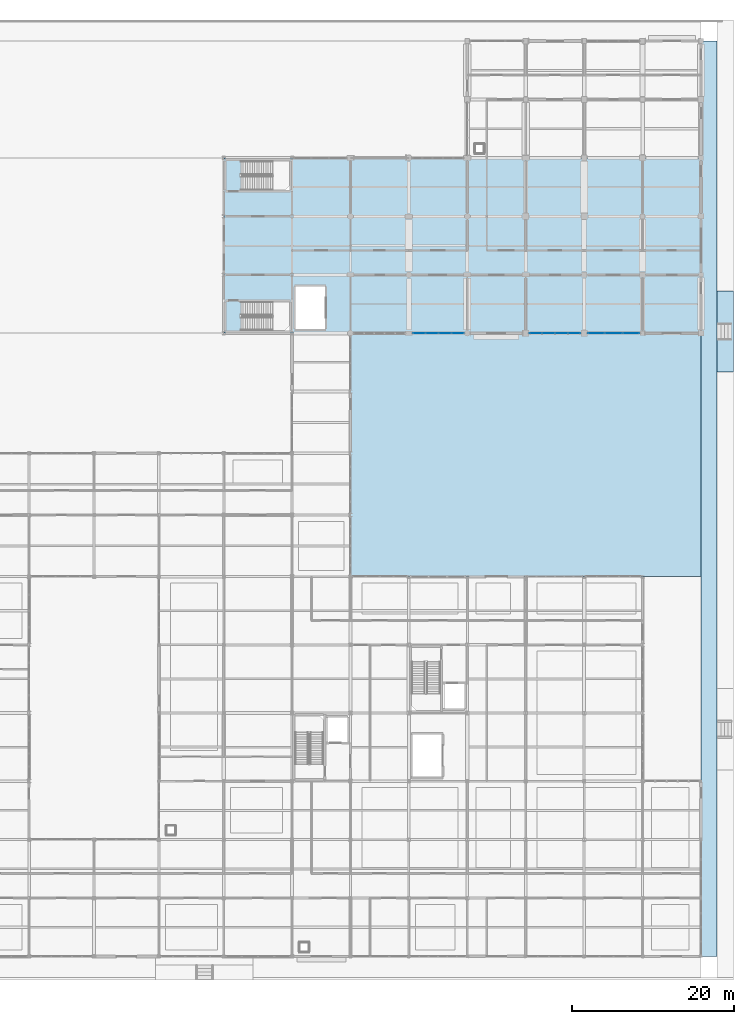
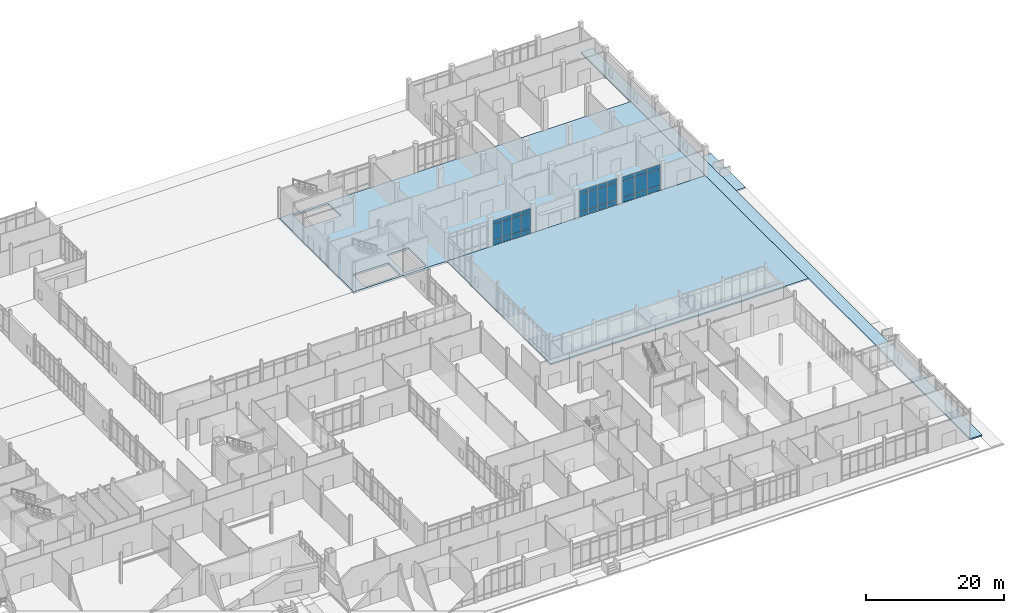
# One storey, part 157 of 229: 33 plates, 4 slabs, 3 elements without a shape of their own.
"""IFC4 building model written with IfcOpenShell, lengths in metres."""

from ifc_helpers import new_model, si_unit, direction, frame, origin, origin_2d, place, context, subcontext, project, spatial, polyline, rectangle, outline, extrude, material, layer, layer_set, type_object, element, aggregate, save


model = new_model("IFC4")

# Units and contexts
model_context = context("Model", 3, precision=1e-05, world=origin(), true_north=direction((0.0, 1.0)))
body_context = subcontext(model_context, "Body", "Model", "MODEL_VIEW")
ifc_project = project(units=[si_unit("LENGTHUNIT", "METRE"), si_unit("AREAUNIT", "SQUARE_METRE"), si_unit("VOLUMEUNIT", "CUBIC_METRE"), si_unit("PLANEANGLEUNIT", "RADIAN"), si_unit("MASSUNIT", "GRAM", prefix="KILO")], contexts=[model_context])

# Site, building, storey
site_placement = place(None, origin())
site = spatial("IfcSite", under=ifc_project, at=site_placement, CompositionType="ELEMENT")
building_placement = place(site_placement, origin())
building = spatial("IfcBuilding", under=site, at=building_placement, Name="Calvrana Isthmian Art Gallery", CompositionType="ELEMENT")
storey_placement = place(building_placement, origin())
storey = spatial("IfcBuildingStorey", under=building, at=storey_placement, Name="L00", CompositionType="ELEMENT", Elevation=0.0)

# Curtain wall, plates
ifc_material_1 = material(Name="Anodized bronze aluminium 6063-T6", Category="aluminium")
ifc_layer_1 = layer(ifc_material_1, 0.179931640625, Name="Anodized bronze aluminium 6063-T6")
ifc_layer_set_1 = layer_set([ifc_layer_1], Name="Anodized bronze aluminium 6063-T6")
curtain_wall_type_1 = type_object("IfcCurtainWallType", Name="CW-STICK-065X46", PredefinedType="NOTDEFINED", material=ifc_layer_set_1)
curtain_wall_1_placement = place(storey_placement, origin())
curtain_wall_1 = element("IfcCurtainWall", 1, at=curtain_wall_1_placement, inside=storey, type_object=curtain_wall_type_1, Name="Curtain wall CW-035", PredefinedType="NOTDEFINED")
ifc_material_2 = material(Name="Polychrome glazed terracotta", Category="masonry")
ifc_layer_2 = layer(ifc_material_2, 0.033935546875, Name="Polychrome glazed terracotta")
ifc_layer_set_2 = layer_set([ifc_layer_2], Name="Polychrome glazed terracotta")
plate_type_1 = type_object("IfcPlateType", Name="CWP-SPANDREL-34", PredefinedType="CURTAIN_PANEL", material=ifc_layer_set_2)
plate_1_placement = place(storey_placement, frame((154.5966796875, 76.800048828125, 0.06005859375), z_axis=(0.0, 0.0, 1.0), x_axis=(-1.0, 0.0, 0.0)))
plate_1 = element("IfcPlate", 2, at=plate_1_placement, type_object=plate_type_1, Name="CW-035 panel 1.1", PredefinedType="CURTAIN_PANEL", context=body_context, shape_type="SweptSolid", body=[
    extrude(rectangle(XDim=2.046630859375, YDim=0.033935546875, at=origin_2d()), origin(), (0.0, 0.0, 1.0), 0.81005859375),
])
plate_2_placement = place(storey_placement, frame((154.5966796875, 76.800048828125, 0.93017578125), z_axis=(0.0, 0.0, 1.0), x_axis=(-1.0, 0.0, 0.0)))
plate_2 = element("IfcPlate", 3, at=plate_2_placement, type_object=plate_type_1, Name="CW-035 panel 1.2", PredefinedType="CURTAIN_PANEL", context=body_context, shape_type="SweptSolid", body=[
    extrude(rectangle(XDim=2.046630859375, YDim=0.033935546875, at=origin_2d()), origin(), (0.0, 0.0, 1.0), 2.907958984375),
])
plate_3_placement = place(storey_placement, frame((154.5966796875, 76.800048828125, 3.89794921875), z_axis=(0.0, 0.0, 1.0), x_axis=(-1.0, 0.0, 0.0)))
plate_3 = element("IfcPlate", 4, at=plate_3_placement, type_object=plate_type_1, Name="CW-035 panel 1.3", PredefinedType="CURTAIN_PANEL", context=body_context, shape_type="SweptSolid", body=[
    extrude(rectangle(XDim=2.046630859375, YDim=0.033935546875, at=origin_2d()), origin(), (0.0, 0.0, 1.0), 0.659912109375),
])
plate_4_placement = place(storey_placement, frame((152.449951171875, 76.800048828125, 0.06005859375), z_axis=(0.0, 0.0, 1.0), x_axis=(-1.0, 0.0, 0.0)))
plate_4 = element("IfcPlate", 5, at=plate_4_placement, type_object=plate_type_1, Name="CW-035 panel 2.1", PredefinedType="CURTAIN_PANEL", context=body_context, shape_type="SweptSolid", body=[
    extrude(rectangle(XDim=2.086669921875, YDim=0.033935546875, at=origin_2d()), origin(), (0.0, 0.0, 1.0), 0.81005859375),
])
plate_5_placement = place(storey_placement, frame((152.449951171875, 76.800048828125, 0.93017578125), z_axis=(0.0, 0.0, 1.0), x_axis=(-1.0, 0.0, 0.0)))
plate_5 = element("IfcPlate", 6, at=plate_5_placement, type_object=plate_type_1, Name="CW-035 panel 2.2", PredefinedType="CURTAIN_PANEL", context=body_context, shape_type="SweptSolid", body=[
    extrude(rectangle(XDim=2.086669921875, YDim=0.033935546875, at=origin_2d()), origin(), (0.0, 0.0, 1.0), 2.907958984375),
])
plate_6_placement = place(storey_placement, frame((152.449951171875, 76.800048828125, 3.89794921875), z_axis=(0.0, 0.0, 1.0), x_axis=(-1.0, 0.0, 0.0)))
plate_6 = element("IfcPlate", 7, at=plate_6_placement, type_object=plate_type_1, Name="CW-035 panel 2.3", PredefinedType="CURTAIN_PANEL", context=body_context, shape_type="SweptSolid", body=[
    extrude(rectangle(XDim=2.086669921875, YDim=0.033935546875, at=origin_2d()), origin(), (0.0, 0.0, 1.0), 0.659912109375),
])
plate_7_placement = place(storey_placement, frame((150.30322265625, 76.800048828125, 0.06005859375), z_axis=(0.0, 0.0, 1.0), x_axis=(-1.0, 0.0, 0.0)))
plate_7 = element("IfcPlate", 8, at=plate_7_placement, type_object=plate_type_1, Name="CW-035 panel 3.1", PredefinedType="CURTAIN_PANEL", context=body_context, shape_type="SweptSolid", body=[
    extrude(rectangle(XDim=2.046630859375, YDim=0.033935546875, at=origin_2d()), origin(), (0.0, 0.0, 1.0), 0.81005859375),
])
plate_8_placement = place(storey_placement, frame((150.30322265625, 76.800048828125, 0.93017578125), z_axis=(0.0, 0.0, 1.0), x_axis=(-1.0, 0.0, 0.0)))
plate_8 = element("IfcPlate", 9, at=plate_8_placement, type_object=plate_type_1, Name="CW-035 panel 3.2", PredefinedType="CURTAIN_PANEL", context=body_context, shape_type="SweptSolid", body=[
    extrude(rectangle(XDim=2.046630859375, YDim=0.033935546875, at=origin_2d()), origin(), (0.0, 0.0, 1.0), 2.907958984375),
])
plate_9_placement = place(storey_placement, frame((150.30322265625, 76.800048828125, 3.89794921875), z_axis=(0.0, 0.0, 1.0), x_axis=(-1.0, 0.0, 0.0)))
plate_9 = element("IfcPlate", 10, at=plate_9_placement, type_object=plate_type_1, Name="CW-035 panel 3.3", PredefinedType="CURTAIN_PANEL", context=body_context, shape_type="SweptSolid", body=[
    extrude(rectangle(XDim=2.046630859375, YDim=0.033935546875, at=origin_2d()), origin(), (0.0, 0.0, 1.0), 0.659912109375),
])
aggregate(curtain_wall_1, [plate_1, plate_2, plate_3, plate_4, plate_5, plate_6, plate_7, plate_8, plate_9])

ifc_layer_3 = layer(ifc_material_1, 0.179931640625, Name="Anodized bronze aluminium 6063-T6")
ifc_layer_set_3 = layer_set([ifc_layer_3], Name="Anodized bronze aluminium 6063-T6")
curtain_wall_type_2 = type_object("IfcCurtainWallType", Name="CW-STICK-064X45", PredefinedType="NOTDEFINED", material=ifc_layer_set_3)
curtain_wall_2_placement = place(storey_placement, origin())
curtain_wall_2 = element("IfcCurtainWall", 11, at=curtain_wall_2_placement, inside=storey, type_object=curtain_wall_type_2, Name="Curtain wall CW-033", PredefinedType="NOTDEFINED")
ifc_material_3 = material(Name="Low-E laminated solar glass", Category="glass")
ifc_layer_4 = layer(ifc_material_3, 0.028076171875, Name="Low-E laminated solar glass")
ifc_layer_set_4 = layer_set([ifc_layer_4], Name="Low-E laminated solar glass")
plate_type_2 = type_object("IfcPlateType", Name="CWP-VISION-28", PredefinedType="CURTAIN_PANEL", material=ifc_layer_set_4)
plate_10_placement = place(storey_placement, frame((133.210693359375, 76.800048828125, 0.070068359375), z_axis=(0.0, 0.0, 1.0), x_axis=(-1.0, 0.0, 0.0)))
plate_10 = element("IfcPlate", 12, at=plate_10_placement, type_object=plate_type_2, Name="CW-033 panel 1.1", PredefinedType="CURTAIN_PANEL", context=body_context, shape_type="SweptSolid", body=[
    extrude(rectangle(XDim=1.48876953125, YDim=0.028076171875, at=origin_2d()), origin(), (0.0, 0.0, 1.0), 0.794921875),
])
plate_11_placement = place(storey_placement, frame((133.210693359375, 76.800048828125, 0.93505859375), z_axis=(0.0, 0.0, 1.0), x_axis=(-1.0, 0.0, 0.0)))
plate_11 = element("IfcPlate", 13, at=plate_11_placement, type_object=plate_type_2, Name="CW-033 panel 1.2", PredefinedType="CURTAIN_PANEL", context=body_context, shape_type="SweptSolid", body=[
    extrude(rectangle(XDim=1.48876953125, YDim=0.028076171875, at=origin_2d()), origin(), (0.0, 0.0, 1.0), 2.7529296875),
])
plate_12_placement = place(storey_placement, frame((133.210693359375, 76.800048828125, 3.758056640625), z_axis=(0.0, 0.0, 1.0), x_axis=(-1.0, 0.0, 0.0)))
plate_12 = element("IfcPlate", 14, at=plate_12_placement, type_object=plate_type_2, Name="CW-033 panel 1.3", PredefinedType="CURTAIN_PANEL", context=body_context, shape_type="SweptSolid", body=[
    extrude(rectangle(XDim=1.48876953125, YDim=0.028076171875, at=origin_2d()), origin(), (0.0, 0.0, 1.0), 0.64501953125),
])
plate_13_placement = place(storey_placement, frame((131.63427734375, 76.800048828125, 0.070068359375), z_axis=(0.0, 0.0, 1.0), x_axis=(-1.0, 0.0, 0.0)))
plate_13 = element("IfcPlate", 15, at=plate_13_placement, type_object=plate_type_2, Name="CW-033 panel 2.1", PredefinedType="CURTAIN_PANEL", context=body_context, shape_type="SweptSolid", body=[
    extrude(rectangle(XDim=1.523681640625, YDim=0.028076171875, at=origin_2d()), origin(), (0.0, 0.0, 1.0), 0.794921875),
])
plate_14_placement = place(storey_placement, frame((131.63427734375, 76.800048828125, 0.93505859375), z_axis=(0.0, 0.0, 1.0), x_axis=(-1.0, 0.0, 0.0)))
plate_14 = element("IfcPlate", 16, at=plate_14_placement, type_object=plate_type_2, Name="CW-033 panel 2.2", PredefinedType="CURTAIN_PANEL", context=body_context, shape_type="SweptSolid", body=[
    extrude(rectangle(XDim=1.523681640625, YDim=0.028076171875, at=origin_2d()), origin(), (0.0, 0.0, 1.0), 2.7529296875),
])
plate_15_placement = place(storey_placement, frame((131.63427734375, 76.800048828125, 3.758056640625), z_axis=(0.0, 0.0, 1.0), x_axis=(-1.0, 0.0, 0.0)))
plate_15 = element("IfcPlate", 17, at=plate_15_placement, type_object=plate_type_2, Name="CW-033 panel 2.3", PredefinedType="CURTAIN_PANEL", context=body_context, shape_type="SweptSolid", body=[
    extrude(rectangle(XDim=1.523681640625, YDim=0.028076171875, at=origin_2d()), origin(), (0.0, 0.0, 1.0), 0.64501953125),
])
plate_16_placement = place(storey_placement, frame((130.04052734375, 76.800048828125, 0.070068359375), z_axis=(0.0, 0.0, 1.0), x_axis=(-1.0, 0.0, 0.0)))
plate_16 = element("IfcPlate", 18, at=plate_16_placement, type_object=plate_type_2, Name="CW-033 panel 3.1", PredefinedType="CURTAIN_PANEL", context=body_context, shape_type="SweptSolid", body=[
    extrude(rectangle(XDim=1.523681640625, YDim=0.028076171875, at=origin_2d()), origin(), (0.0, 0.0, 1.0), 0.794921875),
])
plate_17_placement = place(storey_placement, frame((130.04052734375, 76.800048828125, 0.93505859375), z_axis=(0.0, 0.0, 1.0), x_axis=(-1.0, 0.0, 0.0)))
plate_17 = element("IfcPlate", 19, at=plate_17_placement, type_object=plate_type_2, Name="CW-033 panel 3.2", PredefinedType="CURTAIN_PANEL", context=body_context, shape_type="SweptSolid", body=[
    extrude(rectangle(XDim=1.523681640625, YDim=0.028076171875, at=origin_2d()), origin(), (0.0, 0.0, 1.0), 2.7529296875),
])
plate_18_placement = place(storey_placement, frame((130.04052734375, 76.800048828125, 3.758056640625), z_axis=(0.0, 0.0, 1.0), x_axis=(-1.0, 0.0, 0.0)))
plate_18 = element("IfcPlate", 20, at=plate_18_placement, type_object=plate_type_2, Name="CW-033 panel 3.3", PredefinedType="CURTAIN_PANEL", context=body_context, shape_type="SweptSolid", body=[
    extrude(rectangle(XDim=1.523681640625, YDim=0.028076171875, at=origin_2d()), origin(), (0.0, 0.0, 1.0), 0.64501953125),
])
plate_19_placement = place(storey_placement, frame((128.46435546875, 76.800048828125, 0.070068359375), z_axis=(0.0, 0.0, 1.0), x_axis=(-1.0, 0.0, 0.0)))
plate_19 = element("IfcPlate", 21, at=plate_19_placement, type_object=plate_type_2, Name="CW-033 panel 4.1", PredefinedType="CURTAIN_PANEL", context=body_context, shape_type="SweptSolid", body=[
    extrude(rectangle(XDim=1.48876953125, YDim=0.028076171875, at=origin_2d()), origin(), (0.0, 0.0, 1.0), 0.794921875),
])
plate_20_placement = place(storey_placement, frame((128.46435546875, 76.800048828125, 0.93505859375), z_axis=(0.0, 0.0, 1.0), x_axis=(-1.0, 0.0, 0.0)))
plate_20 = element("IfcPlate", 22, at=plate_20_placement, type_object=plate_type_2, Name="CW-033 panel 4.2", PredefinedType="CURTAIN_PANEL", context=body_context, shape_type="SweptSolid", body=[
    extrude(rectangle(XDim=1.48876953125, YDim=0.028076171875, at=origin_2d()), origin(), (0.0, 0.0, 1.0), 2.7529296875),
])
plate_21_placement = place(storey_placement, frame((128.46435546875, 76.800048828125, 3.758056640625), z_axis=(0.0, 0.0, 1.0), x_axis=(-1.0, 0.0, 0.0)))
plate_21 = element("IfcPlate", 23, at=plate_21_placement, type_object=plate_type_2, Name="CW-033 panel 4.3", PredefinedType="CURTAIN_PANEL", context=body_context, shape_type="SweptSolid", body=[
    extrude(rectangle(XDim=1.48876953125, YDim=0.028076171875, at=origin_2d()), origin(), (0.0, 0.0, 1.0), 0.64501953125),
])
aggregate(curtain_wall_2, [plate_10, plate_11, plate_12, plate_13, plate_14, plate_15, plate_16, plate_17, plate_18, plate_19, plate_20, plate_21])

ifc_layer_5 = layer(ifc_material_1, 0.179931640625, Name="Anodized bronze aluminium 6063-T6")
ifc_layer_set_5 = layer_set([ifc_layer_5], Name="Anodized bronze aluminium 6063-T6")
curtain_wall_type_3 = type_object("IfcCurtainWallType", Name="CW-STICK-064X47", PredefinedType="NOTDEFINED", material=ifc_layer_set_5)
curtain_wall_3_placement = place(storey_placement, origin())
curtain_wall_3 = element("IfcCurtainWall", 24, at=curtain_wall_3_placement, inside=storey, type_object=curtain_wall_type_3, Name="Curtain wall CW-034", PredefinedType="NOTDEFINED")
plate_22_placement = place(storey_placement, frame((147.581298828125, 76.800048828125, 0.074951171875), z_axis=(0.0, 0.0, 1.0), x_axis=(-1.0, 0.0, 0.0)))
plate_22 = element("IfcPlate", 25, at=plate_22_placement, type_object=plate_type_2, Name="CW-034 panel 1.1", PredefinedType="CURTAIN_PANEL", context=body_context, shape_type="SweptSolid", body=[
    extrude(rectangle(XDim=1.487548828125, YDim=0.028076171875, at=origin_2d()), origin(), (0.0, 0.0, 1.0), 0.78759765625),
])
plate_23_placement = place(storey_placement, frame((147.581298828125, 76.800048828125, 0.9375), z_axis=(0.0, 0.0, 1.0), x_axis=(-1.0, 0.0, 0.0)))
plate_23 = element("IfcPlate", 26, at=plate_23_placement, type_object=plate_type_2, Name="CW-034 panel 1.2", PredefinedType="CURTAIN_PANEL", context=body_context, shape_type="SweptSolid", body=[
    extrude(rectangle(XDim=1.487548828125, YDim=0.028076171875, at=origin_2d()), origin(), (0.0, 0.0, 1.0), 2.9990234375),
])
plate_24_placement = place(storey_placement, frame((147.581298828125, 76.800048828125, 4.01171875), z_axis=(0.0, 0.0, 1.0), x_axis=(-1.0, 0.0, 0.0)))
plate_24 = element("IfcPlate", 27, at=plate_24_placement, type_object=plate_type_2, Name="CW-034 panel 1.3", PredefinedType="CURTAIN_PANEL", context=body_context, shape_type="SweptSolid", body=[
    extrude(rectangle(XDim=1.487548828125, YDim=0.028076171875, at=origin_2d()), origin(), (0.0, 0.0, 1.0), 0.637451171875),
])
plate_25_placement = place(storey_placement, frame((146.0, 76.800048828125, 0.074951171875), z_axis=(0.0, 0.0, 1.0), x_axis=(-1.0, 0.0, 0.0)))
plate_25 = element("IfcPlate", 28, at=plate_25_placement, type_object=plate_type_2, Name="CW-034 panel 2.1", PredefinedType="CURTAIN_PANEL", context=body_context, shape_type="SweptSolid", body=[
    extrude(rectangle(XDim=1.52490234375, YDim=0.028076171875, at=origin_2d()), origin(), (0.0, 0.0, 1.0), 0.78759765625),
])
plate_26_placement = place(storey_placement, frame((146.0, 76.800048828125, 0.9375), z_axis=(0.0, 0.0, 1.0), x_axis=(-1.0, 0.0, 0.0)))
plate_26 = element("IfcPlate", 29, at=plate_26_placement, type_object=plate_type_2, Name="CW-034 panel 2.2", PredefinedType="CURTAIN_PANEL", context=body_context, shape_type="SweptSolid", body=[
    extrude(rectangle(XDim=1.52490234375, YDim=0.028076171875, at=origin_2d()), origin(), (0.0, 0.0, 1.0), 2.9990234375),
])
plate_27_placement = place(storey_placement, frame((146.0, 76.800048828125, 4.01171875), z_axis=(0.0, 0.0, 1.0), x_axis=(-1.0, 0.0, 0.0)))
plate_27 = element("IfcPlate", 30, at=plate_27_placement, type_object=plate_type_2, Name="CW-034 panel 2.3", PredefinedType="CURTAIN_PANEL", context=body_context, shape_type="SweptSolid", body=[
    extrude(rectangle(XDim=1.52490234375, YDim=0.028076171875, at=origin_2d()), origin(), (0.0, 0.0, 1.0), 0.637451171875),
])
plate_28_placement = place(storey_placement, frame((144.39990234375, 76.800048828125, 0.074951171875), z_axis=(0.0, 0.0, 1.0), x_axis=(-1.0, 0.0, 0.0)))
plate_28 = element("IfcPlate", 31, at=plate_28_placement, type_object=plate_type_2, Name="CW-034 panel 3.1", PredefinedType="CURTAIN_PANEL", context=body_context, shape_type="SweptSolid", body=[
    extrude(rectangle(XDim=1.52490234375, YDim=0.028076171875, at=origin_2d()), origin(), (0.0, 0.0, 1.0), 0.78759765625),
])
plate_29_placement = place(storey_placement, frame((144.39990234375, 76.800048828125, 0.9375), z_axis=(0.0, 0.0, 1.0), x_axis=(-1.0, 0.0, 0.0)))
plate_29 = element("IfcPlate", 32, at=plate_29_placement, type_object=plate_type_2, Name="CW-034 panel 3.2", PredefinedType="CURTAIN_PANEL", context=body_context, shape_type="SweptSolid", body=[
    extrude(rectangle(XDim=1.52490234375, YDim=0.028076171875, at=origin_2d()), origin(), (0.0, 0.0, 1.0), 2.9990234375),
])
plate_30_placement = place(storey_placement, frame((144.39990234375, 76.800048828125, 4.01171875), z_axis=(0.0, 0.0, 1.0), x_axis=(-1.0, 0.0, 0.0)))
plate_30 = element("IfcPlate", 33, at=plate_30_placement, type_object=plate_type_2, Name="CW-034 panel 3.3", PredefinedType="CURTAIN_PANEL", context=body_context, shape_type="SweptSolid", body=[
    extrude(rectangle(XDim=1.52490234375, YDim=0.028076171875, at=origin_2d()), origin(), (0.0, 0.0, 1.0), 0.637451171875),
])
plate_31_placement = place(storey_placement, frame((142.81884765625, 76.800048828125, 0.074951171875), z_axis=(0.0, 0.0, 1.0), x_axis=(-1.0, 0.0, 0.0)))
plate_31 = element("IfcPlate", 34, at=plate_31_placement, type_object=plate_type_2, Name="CW-034 panel 4.1", PredefinedType="CURTAIN_PANEL", context=body_context, shape_type="SweptSolid", body=[
    extrude(rectangle(XDim=1.487548828125, YDim=0.028076171875, at=origin_2d()), origin(), (0.0, 0.0, 1.0), 0.78759765625),
])
plate_32_placement = place(storey_placement, frame((142.81884765625, 76.800048828125, 0.9375), z_axis=(0.0, 0.0, 1.0), x_axis=(-1.0, 0.0, 0.0)))
plate_32 = element("IfcPlate", 35, at=plate_32_placement, type_object=plate_type_2, Name="CW-034 panel 4.2", PredefinedType="CURTAIN_PANEL", context=body_context, shape_type="SweptSolid", body=[
    extrude(rectangle(XDim=1.487548828125, YDim=0.028076171875, at=origin_2d()), origin(), (0.0, 0.0, 1.0), 2.9990234375),
])
plate_33_placement = place(storey_placement, frame((142.81884765625, 76.800048828125, 4.01171875), z_axis=(0.0, 0.0, 1.0), x_axis=(-1.0, 0.0, 0.0)))
plate_33 = element("IfcPlate", 36, at=plate_33_placement, type_object=plate_type_2, Name="CW-034 panel 4.3", PredefinedType="CURTAIN_PANEL", context=body_context, shape_type="SweptSolid", body=[
    extrude(rectangle(XDim=1.487548828125, YDim=0.028076171875, at=origin_2d()), origin(), (0.0, 0.0, 1.0), 0.637451171875),
])
aggregate(curtain_wall_3, [plate_22, plate_23, plate_24, plate_25, plate_26, plate_27, plate_28, plate_29, plate_30, plate_31, plate_32, plate_33])

# Slabs
ifc_material_4 = material(Name="Concrete C40/50", Category="concrete")
ifc_layer_6 = layer(ifc_material_4, 0.35009765625, Name="Concrete C40/50")
ifc_layer_set_6 = layer_set([ifc_layer_6], Name="Concrete C40/50")
slab_type_1 = type_object("IfcSlabType", Name="SLB-DOCK-350", PredefinedType="FLOOR", material=ifc_layer_set_6)
slab_1_placement = place(storey_placement, frame((0.0, 0.0, -0.35009765625)))
element("IfcSlab", 37, at=slab_1_placement, inside=storey, type_object=slab_type_1, Name="Floor slab V5_L00", PredefinedType="FLOOR", context=body_context, shape_type="SweptSolid", body=[
    extrude(outline(polyline([(104.39990234375, 76.800048828125), (163.199951171875, 76.800048828125), (163.199951171875, 98.39990234375), (104.39990234375, 98.39990234375), (104.39990234375, 76.800048828125)]), holes=[polyline([(106.5, 77.14990234375), (112.4599609375, 77.14990234375), (112.4599609375, 80.669921875), (106.5, 80.669921875), (106.5, 77.14990234375)]), polyline([(113.25, 77.35009765625), (116.85009765625, 77.35009765625), (116.85009765625, 82.550048828125), (113.25, 82.550048828125), (113.25, 77.35009765625)]), polyline([(106.5, 94.429931640625), (112.4599609375, 94.429931640625), (112.4599609375, 98.030029296875), (106.5, 98.030029296875), (106.5, 94.429931640625)])]), origin(), (0.0, 0.0, 1.0), 0.35009765625),
])
ifc_layer_7 = layer(ifc_material_4, 0.199951171875, Name="Concrete C40/50")
ifc_layer_set_7 = layer_set([ifc_layer_7], Name="Concrete C40/50")
slab_type_2 = type_object("IfcSlabType", Name="SLB-LAND-200", PredefinedType="LANDING", material=ifc_layer_set_7)
slab_2_placement = place(storey_placement, frame((0.0, 0.0, -0.85009765625)))
element("IfcSlab", 38, at=slab_2_placement, inside=storey, type_object=slab_type_2, Name="Courtyard and entry plaza deck SLB_APR_EAST_BENCH", PredefinedType="LANDING", context=body_context, shape_type="SweptSolid", body=[
    extrude(outline(polyline([(167.199951171875, 72.0), (167.199951171875, 82.0), (165.199951171875, 82.0), (165.199951171875, 72.0), (167.199951171875, 72.0)])), origin(), (0.0, 0.0, 1.0), 0.25),
])
ifc_layer_8 = layer(ifc_material_4, 0.199951171875, Name="Concrete C40/50")
ifc_layer_set_8 = layer_set([ifc_layer_8], Name="Concrete C40/50")
slab_type_3 = type_object("IfcSlabType", Name="SLB-TER-200", PredefinedType="FLOOR", material=ifc_layer_set_8)
slab_3_placement = place(storey_placement, frame((0.0, 0.0, -0.25)))
element("IfcSlab", 39, at=slab_3_placement, inside=storey, type_object=slab_type_3, Name="Courtyard and entry plaza deck SLB_APR_ECORT", PredefinedType="FLOOR", context=body_context, shape_type="SweptSolid", body=[
    extrude(outline(polyline([(163.199951171875, 46.800048828125), (163.199951171875, 76.800048828125), (120.0, 76.800048828125), (120.0, 46.800048828125), (163.199951171875, 46.800048828125)])), origin(), (0.0, 0.0, 1.0), 0.25),
])
slab_4_placement = place(storey_placement, frame((0.0, 0.0, -0.25)))
element("IfcSlab", 40, at=slab_4_placement, inside=storey, type_object=slab_type_3, Name="Courtyard and entry plaza deck SLB_APR_EAST", PredefinedType="FLOOR", context=body_context, shape_type="SweptSolid", body=[
    extrude(outline(polyline([(165.199951171875, 0.0), (165.199951171875, 112.800048828125), (163.199951171875, 112.800048828125), (163.199951171875, 0.0), (165.199951171875, 0.0)])), origin(), (0.0, 0.0, 1.0), 0.25),
])

save(model, "model.ifc")
